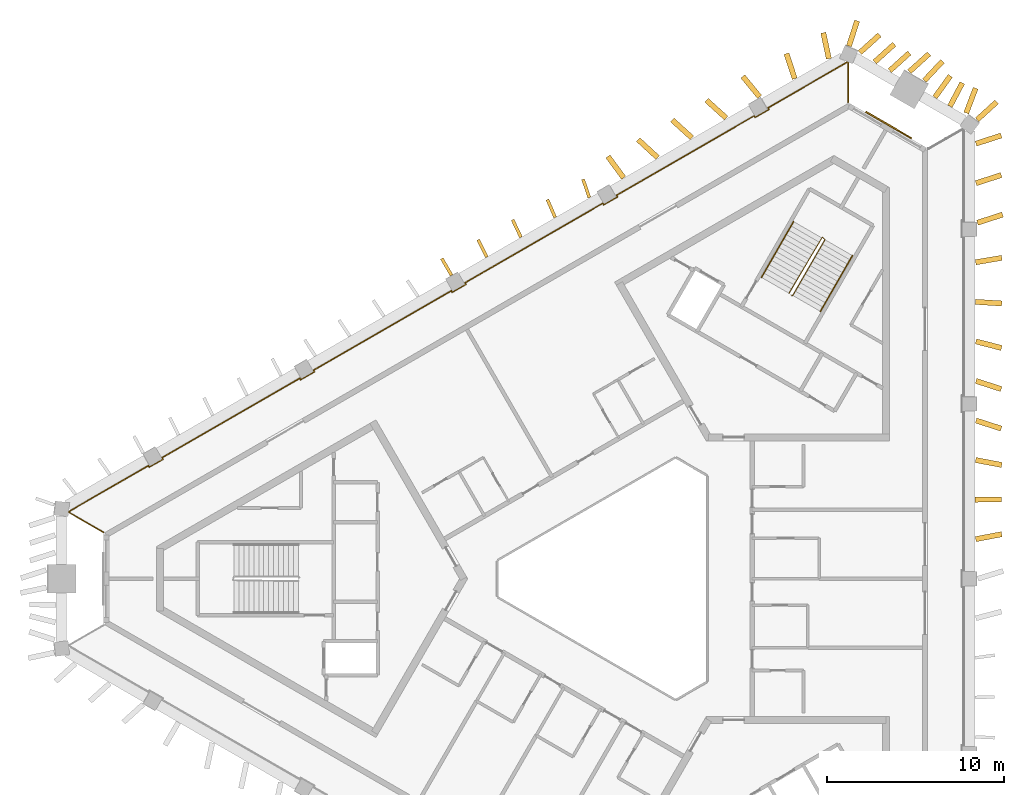
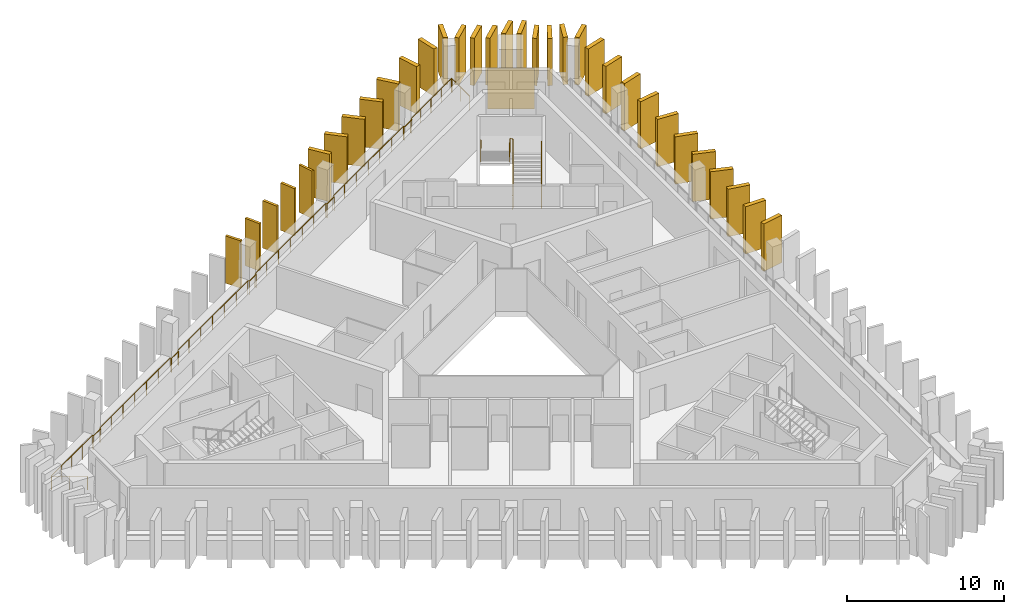
# One storey, part 9 of 9: 33 shading devices, 4 railings, 1 covering.
"""IFC4 building model written with IfcOpenShell, lengths in metres."""

from ifc_helpers import new_model, si_unit, direction, frame, frame_2d, origin, origin_2d, place, context, subcontext, project, spatial, rectangle, circle, extrude, material, layer, layer_set, type_object, element, save


model = new_model("IFC4")

# Units and contexts
model_context = context("Model", 3, precision=1e-05, world=origin(), true_north=direction((0.0, 1.0)))
body_context = subcontext(model_context, "Body", "Model", "MODEL_VIEW")
ifc_project = project(units=[si_unit("LENGTHUNIT", "METRE"), si_unit("AREAUNIT", "SQUARE_METRE"), si_unit("VOLUMEUNIT", "CUBIC_METRE"), si_unit("PLANEANGLEUNIT", "RADIAN"), si_unit("MASSUNIT", "GRAM", prefix="KILO")], contexts=[model_context])

# Site, building, storey
site_placement = place(None, origin())
site = spatial("IfcSite", under=ifc_project, at=site_placement, CompositionType="ELEMENT")
building_placement = place(site_placement, origin())
building = spatial("IfcBuilding", under=site, at=building_placement, Name="Jabali Bay Hotel Tower and Convention Centre", CompositionType="ELEMENT")
storey_placement = place(building_placement, frame((0.0, 0.0, 259.0)))
storey = spatial("IfcBuildingStorey", under=building, at=storey_placement, Name="L63", CompositionType="ELEMENT", Elevation=259.0)

# Railing
ifc_material_1 = material(Name="Glass", Category="glass")
railing_type_1 = type_object("IfcRailingType", Name="Loggia glass guard 1100", PredefinedType="BALUSTRADE", material=ifc_material_1)
railing_1_placement = place(storey_placement, frame((45.39599609375, 82.626708984375, 0.0)))
element("IfcRailing", 1, at=railing_1_placement, inside=storey, type_object=railing_type_1, Name="Loggia glass guard L63", PredefinedType="BALUSTRADE", context=body_context, shape_type="SweptSolid", body=[
    extrude(circle(Radius=0.02490234375, at=origin_2d()), frame((0.0, 0.0, 1.0751953125), z_axis=(-0.866008641419, 0.500029032144, 0.0), x_axis=(-0.495751214457, -0.85859981744, 0.13052619222)), (0.0, 0.0, 1.0), 2.274658203125),
    extrude(circle(Radius=0.02490234375, at=origin_2d()), frame((-1.969970703125, 1.137451171875, 1.0751953125), z_axis=(0.117599343536, 0.993061123194, 0.0), x_axis=(-0.984565347621, 0.11659326485, 0.13052619222)), (0.0, 0.0, 1.0), 0.037353515625),
    extrude(circle(Radius=0.02490234375, at=origin_2d()), frame((-1.965576171875, 1.174560546875, 1.0751953125), z_axis=(0.866027466843, 0.499996426661, 0.0), x_axis=(-0.495718887919, 0.85861848181, 0.13052619222)), (0.0, 0.0, 1.0), 5.19384765625),
    extrude(circle(Radius=0.02490234375, at=origin_2d()), frame((2.532470703125, 3.771484375, 1.0751953125), z_axis=(0.4982416694, -0.867038199201, 0.0), x_axis=(0.859620567213, 0.493979142849, 0.13052619222)), (0.0, 0.0, 1.0), 0.099853515625),
    extrude(circle(Radius=0.02490234375, at=origin_2d()), frame((2.582275390625, 3.684814453125, 1.0751953125), z_axis=(0.866081705922, 0.499902469156, 0.0), x_axis=(-0.495625734232, 0.858672256866, 0.13052619222)), (0.0, 0.0, 1.0), 0.900146484375),
    extrude(circle(Radius=0.02490234375, at=origin_2d()), frame((3.36181640625, 4.134765625, 1.0751953125), z_axis=(-0.500074377092, 0.865982457891, 0.0), x_axis=(-0.858573857916, -0.495796171473, 0.13052619222)), (0.0, 0.0, 1.0), 0.10009765625),
    extrude(circle(Radius=0.02490234375, at=origin_2d()), frame((3.311767578125, 4.221435546875, 1.0751953125), z_axis=(0.866035576965, 0.49998237912, 0.0), x_axis=(-0.495704960556, 0.858626522549, 0.13052619222)), (0.0, 0.0, 1.0), 8.997802734375),
    extrude(circle(Radius=0.02490234375, at=origin_2d()), frame((11.104248046875, 8.72021484375, 1.0751953125), z_axis=(0.499298623879, -0.866429964967, 0.0), x_axis=(0.859017536507, 0.495027054936, 0.13052619222)), (0.0, 0.0, 1.0), 0.099853515625),
    extrude(circle(Radius=0.02490234375, at=origin_2d()), frame((11.154052734375, 8.6337890625, 1.0751953125), z_axis=(0.866081705922, 0.499902469156, 0.0), x_axis=(-0.495625734232, 0.858672256866, 0.13052619222)), (0.0, 0.0, 1.0), 0.900146484375),
    extrude(circle(Radius=0.02490234375, at=origin_2d()), frame((11.93359375, 9.083740234375, 1.0751953125), z_axis=(-0.500074377092, 0.865982457891, 0.0), x_axis=(-0.858573857916, -0.495796171473, 0.13052619222)), (0.0, 0.0, 1.0), 0.10009765625),
    extrude(circle(Radius=0.02490234375, at=origin_2d()), frame((11.883544921875, 9.17041015625, 1.0751953125), z_axis=(0.866035576965, 0.49998237912, 0.0), x_axis=(-0.495704960556, 0.858626522549, 0.13052619222)), (0.0, 0.0, 1.0), 8.997802734375),
    extrude(circle(Radius=0.02490234375, at=origin_2d()), frame((19.676025390625, 13.669189453125, 1.0751953125), z_axis=(0.4982416694, -0.867038199201, 0.0), x_axis=(0.859620567213, 0.493979142849, 0.13052619222)), (0.0, 0.0, 1.0), 0.099853515625),
    extrude(circle(Radius=0.02490234375, at=origin_2d()), frame((19.725830078125, 13.58251953125, 1.0751953125), z_axis=(0.865964261186, 0.500105887137, 0.0), x_axis=(-0.495827411944, 0.858555816886, 0.13052619222)), (0.0, 0.0, 1.0), 0.900146484375),
    extrude(circle(Radius=0.02490234375, at=origin_2d()), frame((20.50537109375, 14.03271484375, 1.0751953125), z_axis=(-0.501132629342, 0.865370491644, 0.0), x_axis=(-0.857967127125, -0.496845370228, 0.13052619222)), (0.0, 0.0, 1.0), 0.099853515625),
    extrude(circle(Radius=0.02490234375, at=origin_2d()), frame((20.455322265625, 14.119140625, 1.0751953125), z_axis=(0.866023828167, 0.500002729039, 0.0), x_axis=(-0.495725136379, 0.858614874264, 0.13052619222)), (0.0, 0.0, 1.0), 8.998046875),
    extrude(circle(Radius=0.02490234375, at=origin_2d()), frame((28.247802734375, 18.6181640625, 1.0751953125), z_axis=(0.4982416694, -0.867038199201, 0.0), x_axis=(0.859620567213, 0.493979142849, 0.13052619222)), (0.0, 0.0, 1.0), 0.099853515625),
    extrude(circle(Radius=0.02490234375, at=origin_2d()), frame((28.297607421875, 18.531494140625, 1.0751953125), z_axis=(0.866081705922, 0.499902469156, 0.0), x_axis=(-0.495625734232, 0.858672256866, 0.13052619222)), (0.0, 0.0, 1.0), 0.900146484375),
    extrude(circle(Radius=0.02490234375, at=origin_2d()), frame((29.0771484375, 18.9814453125, 1.0751953125), z_axis=(-0.500074377092, 0.865982457891, 0.0), x_axis=(-0.858573857916, -0.495796171473, 0.13052619222)), (0.0, 0.0, 1.0), 0.10009765625),
    extrude(circle(Radius=0.02490234375, at=origin_2d()), frame((29.027099609375, 19.068115234375, 1.0751953125), z_axis=(0.866023828167, 0.500002729039, 0.0), x_axis=(-0.495725136379, 0.858614874264, 0.13052619222)), (0.0, 0.0, 1.0), 8.998046875),
    extrude(circle(Radius=0.02490234375, at=origin_2d()), frame((36.819580078125, 23.567138671875, 1.0751953125), z_axis=(0.4982416694, -0.867038199201, 0.0), x_axis=(0.859620567213, 0.493979142849, 0.13052619222)), (0.0, 0.0, 1.0), 0.099853515625),
    extrude(circle(Radius=0.02490234375, at=origin_2d()), frame((36.869384765625, 23.48046875, 1.0751953125), z_axis=(0.866081705922, 0.499902469156, 0.0), x_axis=(-0.495625734232, 0.858672256866, 0.13052619222)), (0.0, 0.0, 1.0), 0.900146484375),
    extrude(circle(Radius=0.02490234375, at=origin_2d()), frame((37.64892578125, 23.930419921875, 1.0751953125), z_axis=(-0.500074377092, 0.865982457891, 0.0), x_axis=(-0.858573857916, -0.495796171473, 0.13052619222)), (0.0, 0.0, 1.0), 0.10009765625),
    extrude(circle(Radius=0.02490234375, at=origin_2d()), frame((37.598876953125, 24.01708984375, 1.0751953125), z_axis=(0.866036069923, 0.499981525251, 0.0), x_axis=(-0.495704113992, 0.858627011289, 0.13052619222)), (0.0, 0.0, 1.0), 5.193603515625),
    extrude(circle(Radius=0.02490234375, at=origin_2d()), frame((42.0966796875, 26.61376953125, 1.0751953125), z_axis=(0.922495174035, -0.386008618922, 0.0), x_axis=(0.382706261677, 0.914603099939, 0.13052619222)), (0.0, 0.0, 1.0), 0.037353515625),
    extrude(circle(Radius=0.02490234375, at=origin_2d()), frame((42.131103515625, 26.599365234375, 1.0751953125), z_axis=(0.0, -1.0, 0.0), x_axis=(0.991444861374, 0.0, 0.13052619222)), (0.0, 0.0, 1.0), 2.27490234375),
    extrude(circle(Radius=0.02001953125, at=origin_2d()), origin(), (0.0, 0.0, 1.0), 1.050048828125),
    extrude(circle(Radius=0.02001953125, at=origin_2d()), frame((-0.98486328125, 0.56884765625, 0.0)), (0.0, 0.0, 1.0), 1.050048828125),
    extrude(circle(Radius=0.02001953125, at=origin_2d()), frame((-1.969970703125, 1.137451171875, 0.0)), (0.0, 0.0, 1.0), 1.050048828125),
    extrude(circle(Radius=0.02001953125, at=origin_2d()), frame((-1.965576171875, 1.174560546875, 0.0)), (0.0, 0.0, 1.0), 1.050048828125),
    extrude(circle(Radius=0.02001953125, at=origin_2d()), frame((-0.841064453125, 1.82373046875, 0.0)), (0.0, 0.0, 1.0), 1.050048828125),
    extrude(circle(Radius=0.02001953125, at=origin_2d()), frame((0.283447265625, 2.47314453125, 0.0)), (0.0, 0.0, 1.0), 1.050048828125),
    extrude(circle(Radius=0.02001953125, at=origin_2d()), frame((1.407958984375, 3.122314453125, 0.0)), (0.0, 0.0, 1.0), 1.050048828125),
    extrude(circle(Radius=0.02001953125, at=origin_2d()), frame((2.532470703125, 3.771484375, 0.0)), (0.0, 0.0, 1.0), 1.050048828125),
    extrude(circle(Radius=0.02001953125, at=origin_2d()), frame((2.582275390625, 3.684814453125, 0.0)), (0.0, 0.0, 1.0), 1.050048828125),
    extrude(circle(Radius=0.02001953125, at=origin_2d()), frame((3.36181640625, 4.134765625, 0.0)), (0.0, 0.0, 1.0), 1.050048828125),
    extrude(circle(Radius=0.02001953125, at=origin_2d()), frame((3.311767578125, 4.221435546875, 0.0)), (0.0, 0.0, 1.0), 1.050048828125),
    extrude(circle(Radius=0.02001953125, at=origin_2d()), frame((4.610595703125, 4.97119140625, 0.0)), (0.0, 0.0, 1.0), 1.050048828125),
    extrude(circle(Radius=0.02001953125, at=origin_2d()), frame((5.9091796875, 5.720947265625, 0.0)), (0.0, 0.0, 1.0), 1.050048828125),
    extrude(circle(Radius=0.02001953125, at=origin_2d()), frame((7.2080078125, 6.470703125, 0.0)), (0.0, 0.0, 1.0), 1.050048828125),
    extrude(circle(Radius=0.02001953125, at=origin_2d()), frame((8.5068359375, 7.220703125, 0.0)), (0.0, 0.0, 1.0), 1.050048828125),
    extrude(circle(Radius=0.02001953125, at=origin_2d()), frame((9.805419921875, 7.970458984375, 0.0)), (0.0, 0.0, 1.0), 1.050048828125),
    extrude(circle(Radius=0.02001953125, at=origin_2d()), frame((11.104248046875, 8.72021484375, 0.0)), (0.0, 0.0, 1.0), 1.050048828125),
    extrude(circle(Radius=0.02001953125, at=origin_2d()), frame((11.154052734375, 8.6337890625, 0.0)), (0.0, 0.0, 1.0), 1.050048828125),
    extrude(circle(Radius=0.02001953125, at=origin_2d()), frame((11.93359375, 9.083740234375, 0.0)), (0.0, 0.0, 1.0), 1.050048828125),
    extrude(circle(Radius=0.02001953125, at=origin_2d()), frame((11.883544921875, 9.17041015625, 0.0)), (0.0, 0.0, 1.0), 1.050048828125),
    extrude(circle(Radius=0.02001953125, at=origin_2d()), frame((13.182373046875, 9.920166015625, 0.0)), (0.0, 0.0, 1.0), 1.050048828125),
    extrude(circle(Radius=0.02001953125, at=origin_2d()), frame((14.48095703125, 10.669921875, 0.0)), (0.0, 0.0, 1.0), 1.050048828125),
    extrude(circle(Radius=0.02001953125, at=origin_2d()), frame((15.77978515625, 11.419921875, 0.0)), (0.0, 0.0, 1.0), 1.050048828125),
    extrude(circle(Radius=0.02001953125, at=origin_2d()), frame((17.07861328125, 12.169677734375, 0.0)), (0.0, 0.0, 1.0), 1.050048828125),
    extrude(circle(Radius=0.02001953125, at=origin_2d()), frame((18.377197265625, 12.91943359375, 0.0)), (0.0, 0.0, 1.0), 1.050048828125),
    extrude(circle(Radius=0.02001953125, at=origin_2d()), frame((19.676025390625, 13.669189453125, 0.0)), (0.0, 0.0, 1.0), 1.050048828125),
    extrude(circle(Radius=0.02001953125, at=origin_2d()), frame((19.725830078125, 13.58251953125, 0.0)), (0.0, 0.0, 1.0), 1.050048828125),
    extrude(circle(Radius=0.02001953125, at=origin_2d()), frame((20.50537109375, 14.03271484375, 0.0)), (0.0, 0.0, 1.0), 1.050048828125),
    extrude(circle(Radius=0.02001953125, at=origin_2d()), frame((20.455322265625, 14.119140625, 0.0)), (0.0, 0.0, 1.0), 1.050048828125),
    extrude(circle(Radius=0.02001953125, at=origin_2d()), frame((21.754150390625, 14.868896484375, 0.0)), (0.0, 0.0, 1.0), 1.050048828125),
    extrude(circle(Radius=0.02001953125, at=origin_2d()), frame((23.052734375, 15.618896484375, 0.0)), (0.0, 0.0, 1.0), 1.050048828125),
    extrude(circle(Radius=0.02001953125, at=origin_2d()), frame((24.3515625, 16.36865234375, 0.0)), (0.0, 0.0, 1.0), 1.050048828125),
    extrude(circle(Radius=0.02001953125, at=origin_2d()), frame((25.650390625, 17.118408203125, 0.0)), (0.0, 0.0, 1.0), 1.050048828125),
    extrude(circle(Radius=0.02001953125, at=origin_2d()), frame((26.948974609375, 17.868408203125, 0.0)), (0.0, 0.0, 1.0), 1.050048828125),
    extrude(circle(Radius=0.02001953125, at=origin_2d()), frame((28.247802734375, 18.6181640625, 0.0)), (0.0, 0.0, 1.0), 1.050048828125),
    extrude(circle(Radius=0.02001953125, at=origin_2d()), frame((28.297607421875, 18.531494140625, 0.0)), (0.0, 0.0, 1.0), 1.050048828125),
    extrude(circle(Radius=0.02001953125, at=origin_2d()), frame((29.0771484375, 18.9814453125, 0.0)), (0.0, 0.0, 1.0), 1.050048828125),
    extrude(circle(Radius=0.02001953125, at=origin_2d()), frame((29.027099609375, 19.068115234375, 0.0)), (0.0, 0.0, 1.0), 1.050048828125),
    extrude(circle(Radius=0.02001953125, at=origin_2d()), frame((30.325927734375, 19.81787109375, 0.0)), (0.0, 0.0, 1.0), 1.050048828125),
    extrude(circle(Radius=0.02001953125, at=origin_2d()), frame((31.62451171875, 20.56787109375, 0.0)), (0.0, 0.0, 1.0), 1.050048828125),
    extrude(circle(Radius=0.02001953125, at=origin_2d()), frame((32.92333984375, 21.317626953125, 0.0)), (0.0, 0.0, 1.0), 1.050048828125),
    extrude(circle(Radius=0.02001953125, at=origin_2d()), frame((34.22216796875, 22.0673828125, 0.0)), (0.0, 0.0, 1.0), 1.050048828125),
    extrude(circle(Radius=0.02001953125, at=origin_2d()), frame((35.520751953125, 22.8173828125, 0.0)), (0.0, 0.0, 1.0), 1.050048828125),
    extrude(circle(Radius=0.02001953125, at=origin_2d()), frame((36.819580078125, 23.567138671875, 0.0)), (0.0, 0.0, 1.0), 1.050048828125),
    extrude(circle(Radius=0.02001953125, at=origin_2d()), frame((36.869384765625, 23.48046875, 0.0)), (0.0, 0.0, 1.0), 1.050048828125),
    extrude(circle(Radius=0.02001953125, at=origin_2d()), frame((37.64892578125, 23.930419921875, 0.0)), (0.0, 0.0, 1.0), 1.050048828125),
    extrude(circle(Radius=0.02001953125, at=origin_2d()), frame((37.598876953125, 24.01708984375, 0.0)), (0.0, 0.0, 1.0), 1.050048828125),
    extrude(circle(Radius=0.02001953125, at=origin_2d()), frame((38.723388671875, 24.666259765625, 0.0)), (0.0, 0.0, 1.0), 1.050048828125),
    extrude(circle(Radius=0.02001953125, at=origin_2d()), frame((39.84765625, 25.3154296875, 0.0)), (0.0, 0.0, 1.0), 1.050048828125),
    extrude(circle(Radius=0.02001953125, at=origin_2d()), frame((40.97216796875, 25.964599609375, 0.0)), (0.0, 0.0, 1.0), 1.050048828125),
    extrude(circle(Radius=0.02001953125, at=origin_2d()), frame((42.0966796875, 26.61376953125, 0.0)), (0.0, 0.0, 1.0), 1.050048828125),
    extrude(circle(Radius=0.02001953125, at=origin_2d()), frame((42.131103515625, 26.599365234375, 0.0)), (0.0, 0.0, 1.0), 1.050048828125),
    extrude(circle(Radius=0.02001953125, at=origin_2d()), frame((42.131103515625, 25.4619140625, 0.0)), (0.0, 0.0, 1.0), 1.050048828125),
    extrude(circle(Radius=0.02001953125, at=origin_2d()), frame((42.131103515625, 24.324462890625, 0.0)), (0.0, 0.0, 1.0), 1.050048828125),
])

# Shading devices
ifc_material_2 = material(Name="Precast concrete C60", Category="concrete")
ifc_layer_1 = layer(ifc_material_2, 0.179931640625)
ifc_layer_set_1 = layer_set([ifc_layer_1], Name="Precast concrete C60")
shading_device_type_1 = type_object("IfcShadingDeviceType", Name="Precast fin 3680 x 1100", PredefinedType="USERDEFINED", material=ifc_layer_set_1)
for number, where, z_axis, x_axis, name in (
    (2, (72.88525390625, 101.568359375, 0.010009765625), (0.0, 0.0, 1.0), (-0.327590767152, 0.944819712578, 0.0), "Fin L63 038"),
    (3, (70.9501953125, 100.443359375, 0.010009765625), (0.0, 0.0, 1.0), (-0.397719547411, 0.917507036271, 0.0), "Fin L63 039"),
    (4, (69.013427734375, 99.321533203125, 0.010009765625), (0.0, 0.0, 1.0), (-0.430088633676, 0.902786667592, 0.0), "Fin L63 040"),
):
    element("IfcShadingDevice", number, at=place(storey_placement, frame(where, z_axis=z_axis, x_axis=x_axis)), inside=storey, type_object=shading_device_type_1, Name=name, ObjectType="FIN", PredefinedType="USERDEFINED", context=body_context, shape_type="SweptSolid", body=[
        extrude(rectangle(XDim=1.10009765625, YDim=0.179931640625, at=frame_2d((0.550048828125, 0.0))), origin(), (0.0, 0.0, 1.0), 3.679931640625),
    ])
shading_device_1_placement = place(storey_placement, frame((67.07568359375, 98.20166015625, 0.010009765625), z_axis=(0.0, 0.0, 1.0), x_axis=(-0.440185291087, 0.897906960387, 0.0)))
element("IfcShadingDevice", 5, at=shading_device_1_placement, inside=storey, type_object=shading_device_type_1, Name="Fin L63 041", ObjectType="FIN", PredefinedType="USERDEFINED", context=body_context, shape_type="SweptSolid", body=[
    extrude(rectangle(XDim=1.099853515625, YDim=0.179931640625, at=frame_2d((0.5498046875, 0.0))), origin(), (0.0, 0.0, 1.0), 3.679931640625),
])
shading_device_2_placement = place(storey_placement, frame((65.08642578125, 97.170654296875, 0.010009765625), z_axis=(0.0, 0.0, 1.0), x_axis=(-0.502697605628, 0.864462328442, 0.0)))
element("IfcShadingDevice", 6, at=shading_device_2_placement, inside=storey, type_object=shading_device_type_1, Name="Fin L63 042", ObjectType="FIN", PredefinedType="USERDEFINED", context=body_context, shape_type="SweptSolid", body=[
    extrude(rectangle(XDim=1.10009765625, YDim=0.179931640625, at=frame_2d((0.550048828125, 0.0))), origin(), (0.0, 0.0, 1.0), 3.679931640625),
])
ifc_layer_2 = layer(ifc_material_2, 0.300048828125)
ifc_layer_set_2 = layer_set([ifc_layer_2], Name="Precast concrete C60")
shading_device_type_2 = type_object("IfcShadingDeviceType", Name="Precast fin 3680 x 1500", PredefinedType="USERDEFINED", material=ifc_layer_set_2)
for number, where, z_axis, x_axis, name in (
    (7, (94.7470703125, 82.23828125, 0.010009765625), (0.0, 0.0, 1.0), (0.98238981341, 0.18684286047, 0.0), "Fin L63 012"),
    (8, (94.719482421875, 84.476318359375, 0.010009765625), (0.0, 0.0, 1.0), (0.999997403897, 0.002278639918, 0.0), "Fin L63 013"),
    (9, (94.746826171875, 86.714599609375, 0.010009765625), (0.0, 0.0, 1.0), (0.982728170351, -0.18505497345, 0.0), "Fin L63 014"),
    (10, (94.76513671875, 88.95263671875, 0.010009765625), (0.0, 0.0, 1.0), (0.951825135568, -0.306641339844, 0.0), "Fin L63 015"),
    (11, (94.76513671875, 91.19091796875, 0.010009765625), (0.0, 0.0, 1.0), (0.951777621698, -0.30678878538, 0.0), "Fin L63 016"),
    (12, (94.756591796875, 93.428955078125, 0.010009765625), (0.0, 0.0, 1.0), (0.968414371457, -0.24934635581, 0.0), "Fin L63 017"),
):
    element("IfcShadingDevice", number, at=place(storey_placement, frame(where, z_axis=z_axis, x_axis=x_axis)), inside=storey, type_object=shading_device_type_2, Name=name, ObjectType="FIN", PredefinedType="USERDEFINED", context=body_context, shape_type="SweptSolid", body=[
        extrude(rectangle(XDim=1.5, YDim=0.300048828125, at=frame_2d((0.75, 0.0))), origin(), (0.0, 0.0, 1.0), 3.679931640625),
    ])
shading_device_3_placement = place(storey_placement, frame((94.728271484375, 95.667236328125, 0.010009765625), z_axis=(0.0, 0.0, 1.0), x_axis=(0.998106032596, -0.061517052066, 0.0)))
element("IfcShadingDevice", 13, at=shading_device_3_placement, inside=storey, type_object=shading_device_type_2, Name="Fin L63 018", ObjectType="FIN", PredefinedType="USERDEFINED", context=body_context, shape_type="SweptSolid", body=[
    extrude(rectangle(XDim=1.500244140625, YDim=0.300048828125, at=frame_2d((0.75, 0.0))), origin(), (0.0, 0.0, 1.0), 3.679931640625),
])
for number, where, z_axis, x_axis, name in (
    (14, (94.744384765625, 97.9052734375, 0.010009765625), (0.0, 0.0, 1.0), (0.985820596942, 0.167802713463, 0.0), "Fin L63 019"),
    (15, (94.84326171875, 100.1435546875, 0.010009765625), (0.0, 0.0, 1.0), (0.951777621698, 0.30678878538, 0.0), "Fin L63 020"),
    (16, (94.76513671875, 102.381591796875, 0.010009765625), (0.0, 0.0, 1.0), (0.951777621698, 0.30678878538, 0.0), "Fin L63 021"),
    (17, (94.76513671875, 104.619873046875, 0.010009765625), (0.0, 0.0, 1.0), (0.951777621698, 0.30678878538, 0.0), "Fin L63 022"),
    (18, (94.209716796875, 106.351806640625, 0.010009765625), (0.0, 0.0, 1.0), (0.355650104253, 0.934619175571, 0.0), "Fin L63 023"),
    (19, (93.288330078125, 106.7333984375, 0.010009765625), (0.0, 0.0, 1.0), (0.469726338517, 0.882812079042, 0.0), "Fin L63 024"),
    (20, (92.43701171875, 107.23583984375, 0.010009765625), (0.0, 0.0, 1.0), (0.582991967158, 0.812477917379, 0.0), "Fin L63 025"),
    (21, (91.846923828125, 108.19091796875, 0.010009765625), (0.0, 0.0, 1.0), (0.684038569811, 0.72944584104, 0.0), "Fin L63 026"),
    (22, (90.99658203125, 108.695556640625, 0.010009765625), (0.0, 0.0, 1.0), (0.741543490988, 0.670904800231, 0.0), "Fin L63 027"),
    (23, (89.884033203125, 108.745849609375, 0.010009765625), (0.0, 0.0, 1.0), (0.741543490988, 0.670904800231, 0.0), "Fin L63 028"),
    (24, (89.02783203125, 109.240234375, 0.010009765625), (0.0, 0.0, 1.0), (0.741543490988, 0.670904800231, 0.0), "Fin L63 029"),
    (25, (88.1904296875, 109.76708984375, 0.010009765625), (0.0, 0.0, 1.0), (0.741543490988, 0.670904800231, 0.0), "Fin L63 030"),
    (26, (86.43896484375, 109.427001953125, 0.010009765625), (0.0, 0.0, 1.0), (-0.210273710971, 0.977642555577, 0.0), "Fin L63 031"),
):
    element("IfcShadingDevice", number, at=place(storey_placement, frame(where, z_axis=z_axis, x_axis=x_axis)), inside=storey, type_object=shading_device_type_2, Name=name, ObjectType="FIN", PredefinedType="USERDEFINED", context=body_context, shape_type="SweptSolid", body=[
        extrude(rectangle(XDim=1.5, YDim=0.300048828125, at=frame_2d((0.75, 0.0))), origin(), (0.0, 0.0, 1.0), 3.679931640625),
    ])
for number, where, z_axis, x_axis, name in (
    (27, (84.50830078125, 108.29443359375, 0.010009765625), (0.0, 0.0, 1.0), (-0.314664595062, 0.949202924887, 0.0), "Fin L63 032"),
    (28, (82.519287109375, 107.26318359375, 0.010009765625), (0.0, 0.0, 1.0), (-0.63354799242, 0.773703393621, 0.0), "Fin L63 033"),
):
    element("IfcShadingDevice", number, at=place(storey_placement, frame(where, z_axis=z_axis, x_axis=x_axis)), inside=storey, type_object=shading_device_type_2, Name=name, ObjectType="FIN", PredefinedType="USERDEFINED", context=body_context, shape_type="SweptSolid", body=[
        extrude(rectangle(XDim=1.499755859375, YDim=0.300048828125, at=frame_2d((0.75, 0.0))), origin(), (0.0, 0.0, 1.0), 3.679931640625),
    ])
for number, where, z_axis, x_axis, name in (
    (29, (80.6240234375, 106.06982421875, 0.010009765625), (0.0, 0.0, 1.0), (-0.741308257296, 0.671164709789, 0.0), "Fin L63 034"),
    (30, (78.685791015625, 104.950439453125, 0.010009765625), (0.0, 0.0, 1.0), (-0.740146226372, 0.672445955886, 0.0), "Fin L63 035"),
    (31, (76.748046875, 103.830322265625, 0.010009765625), (0.0, 0.0, 1.0), (-0.734934454925, 0.678138147403, 0.0), "Fin L63 036"),
):
    element("IfcShadingDevice", number, at=place(storey_placement, frame(where, z_axis=z_axis, x_axis=x_axis)), inside=storey, type_object=shading_device_type_2, Name=name, ObjectType="FIN", PredefinedType="USERDEFINED", context=body_context, shape_type="SweptSolid", body=[
        extrude(rectangle(XDim=1.500244140625, YDim=0.300048828125, at=frame_2d((0.75, 0.0))), origin(), (0.0, 0.0, 1.0), 3.679931640625),
    ])
for number, where, z_axis, x_axis, name in (
    (32, (74.82373046875, 102.68701171875, 0.010009765625), (0.0, 0.0, 1.0), (-0.592421520265, 0.805628166294, 0.0), "Fin L63 037"),
    (33, (94.82861328125, 105.970947265625, 0.010009765625), (0.0, 0.0, 1.0), (0.738443208372, 0.674315673857, 0.0), "Fin L63 094"),
    (34, (87.5771484375, 110.14208984375, 0.010009765625), (0.0, 0.0, 1.0), (0.30678878538, 0.951777621698, 0.0), "Fin L63 095"),
):
    element("IfcShadingDevice", number, at=place(storey_placement, frame(where, z_axis=z_axis, x_axis=x_axis)), inside=storey, type_object=shading_device_type_2, Name=name, ObjectType="FIN", PredefinedType="USERDEFINED", context=body_context, shape_type="SweptSolid", body=[
        extrude(rectangle(XDim=1.5, YDim=0.300048828125, at=frame_2d((0.75, 0.0))), origin(), (0.0, 0.0, 1.0), 3.679931640625),
    ])

# Covering
ifc_material_3 = material(Name="Precast concrete C40/50", Category="concrete")
ifc_layer_3 = layer(ifc_material_3, 0.080078125)
ifc_layer_set_3 = layer_set([ifc_layer_3], Name="Precast concrete C40/50")
covering_type = type_object("IfcCoveringType", Name="Relief panel 3000 x 3100", PredefinedType="CLADDING", material=ifc_layer_set_3)
covering_placement = place(storey_placement, frame((89.822021484375, 105.67236328125, 0.099853515625), z_axis=(0.0, 0.0, 1.0), x_axis=(0.86602534145, -0.500000107966, 0.0)))
element("IfcCovering", 35, at=covering_placement, inside=storey, type_object=covering_type, Name="Relief panel L63", PredefinedType="CLADDING", context=body_context, shape_type="SweptSolid", body=[
    extrude(rectangle(XDim=3.0, YDim=0.080078125, at=origin_2d()), origin(), (0.0, 0.0, 1.0), 3.10009765625),
])

# Railings
ifc_material_4 = material(Name="Steel Q355B", Category="steel")
railing_type_2 = type_object("IfcRailingType", Name="Stair guard 1100", PredefinedType="GUARDRAIL", material=ifc_material_4)
railing_2_placement = place(storey_placement, frame((84.329833984375, 96.010009765625, 0.0)))
element("IfcRailing", 36, at=railing_2_placement, inside=storey, type_object=railing_type_2, Name="L63 ST2 stair guard 1", PredefinedType="GUARDRAIL", context=body_context, shape_type="SweptSolid", body=[
    extrude(circle(Radius=0.02392578125, at=origin_2d()), frame((0.0, 0.0, 1.076171875), z_axis=(0.456201556387, 0.122196845461, 0.881446578591), x_axis=(-0.258736085224, 0.965948051503, 0.0)), (0.0, 0.0, 1.0), 0.14990234375),
    extrude(circle(Radius=0.02392578125, at=origin_2d()), frame((0.068359375, 0.018310546875, 1.2080078125), z_axis=(0.45217862506, 0.783169739339, 0.426825081763), x_axis=(-0.866018046521, 0.500012742938, 0.0)), (0.0, 0.0, 1.0), 4.025146484375),
    extrude(circle(Radius=0.02392578125, at=origin_2d()), frame((1.888427734375, 3.170654296875, 2.92626953125), z_axis=(-0.718850276695, 0.695164929852, 0.0), x_axis=(-0.695164929852, -0.718850276695, 0.0)), (0.0, 0.0, 1.0), 0.2060546875),
    extrude(circle(Radius=0.02392578125, at=origin_2d()), frame((1.740234375, 3.31396484375, 2.92626953125), z_axis=(-0.457457462341, -0.768067235091, 0.448113147015), x_axis=(0.859157857954, -0.511710636118, 0.0)), (0.0, 0.0, 1.0), 4.128173828125),
    extrude(circle(Radius=0.02099609375, at=origin_2d()), origin(), (0.0, 0.0, 1.0), 1.052001953125),
    extrude(circle(Radius=0.02099609375, at=origin_2d()), frame((0.068359375, 0.018310546875, 0.132080078125)), (0.0, 0.0, 1.0), 1.052001953125),
    extrude(circle(Radius=0.02099609375, at=origin_2d()), frame((0.5234375, 0.806396484375, 0.5615234375)), (0.0, 0.0, 1.0), 1.052001953125),
    extrude(circle(Radius=0.02099609375, at=origin_2d()), frame((0.978515625, 1.594482421875, 0.9912109375)), (0.0, 0.0, 1.0), 1.052001953125),
    extrude(circle(Radius=0.02099609375, at=origin_2d()), frame((1.433349609375, 2.382568359375, 1.420654296875)), (0.0, 0.0, 1.0), 1.052001953125),
    extrude(circle(Radius=0.02099609375, at=origin_2d()), frame((1.888427734375, 3.170654296875, 1.85009765625)), (0.0, 0.0, 1.0), 1.052001953125),
    extrude(circle(Radius=0.02099609375, at=origin_2d()), frame((1.740234375, 3.31396484375, 1.85009765625)), (0.0, 0.0, 1.0), 1.052001953125),
    extrude(circle(Radius=0.02099609375, at=origin_2d()), frame((1.26806640625, 2.521240234375, 2.3125)), (0.0, 0.0, 1.0), 1.052001953125),
    extrude(circle(Radius=0.02099609375, at=origin_2d()), frame((0.7958984375, 1.728515625, 2.77490234375)), (0.0, 0.0, 1.0), 1.052001953125),
    extrude(circle(Radius=0.02099609375, at=origin_2d()), frame((0.323974609375, 0.93603515625, 3.237548828125)), (0.0, 0.0, 1.0), 1.052001953125),
    extrude(circle(Radius=0.02099609375, at=origin_2d()), frame((-0.148193359375, 0.143310546875, 3.699951171875)), (0.0, 0.0, 1.0), 1.052001953125),
])
railing_type_3 = type_object("IfcRailingType", Name="Stair handrail 900", PredefinedType="HANDRAIL", material=ifc_material_4)
railing_3_placement = place(storey_placement, frame((85.95703125, 95.128173828125, 0.132080078125)))
element("IfcRailing", 37, at=railing_3_placement, inside=storey, type_object=railing_type_3, Name="L63 ST2 stair handrail 1", PredefinedType="HANDRAIL", context=body_context, shape_type="SweptSolid", body=[
    extrude(circle(Radius=0.02392578125, at=origin_2d()), frame((0.0, 0.0, 0.8759765625), z_axis=(0.45217862506, 0.783169739339, 0.426825081763), x_axis=(-0.866018046521, 0.500012742938, 0.0)), (0.0, 0.0, 1.0), 4.025146484375),
    extrude(circle(Radius=0.02099609375, at=origin_2d()), origin(), (0.0, 0.0, 1.0), 0.851806640625),
    extrude(circle(Radius=0.02099609375, at=origin_2d()), frame((0.455078125, 0.7880859375, 0.429443359375)), (0.0, 0.0, 1.0), 0.851806640625),
    extrude(circle(Radius=0.02099609375, at=origin_2d()), frame((0.91015625, 1.576171875, 0.85888671875)), (0.0, 0.0, 1.0), 0.851806640625),
    extrude(circle(Radius=0.02099609375, at=origin_2d()), frame((1.364990234375, 2.3642578125, 1.28857421875)), (0.0, 0.0, 1.0), 0.851806640625),
    extrude(circle(Radius=0.02099609375, at=origin_2d()), frame((1.820068359375, 3.15234375, 1.718017578125)), (0.0, 0.0, 1.0), 0.851806640625),
])
railing_4_placement = place(storey_placement, frame((84.44287109375, 100.20556640625, 1.982177734375)))
element("IfcRailing", 38, at=railing_4_placement, inside=storey, type_object=railing_type_3, Name="L63 ST2 stair handrail 2", PredefinedType="HANDRAIL", context=body_context, shape_type="SweptSolid", body=[
    extrude(circle(Radius=0.02392578125, at=origin_2d()), frame((0.0, 0.0, 0.8759765625), z_axis=(-0.452190331055, -0.783190014029, 0.426775475427), x_axis=(0.866018046521, -0.500012742938, 0.0)), (0.0, 0.0, 1.0), 4.02490234375),
    extrude(circle(Radius=0.02099609375, at=origin_2d()), origin(), (0.0, 0.0, 1.0), 0.851806640625),
    extrude(circle(Radius=0.02099609375, at=origin_2d()), frame((-0.455078125, -0.7880859375, 0.429443359375)), (0.0, 0.0, 1.0), 0.851806640625),
    extrude(circle(Radius=0.02099609375, at=origin_2d()), frame((-0.91015625, -1.576171875, 0.85888671875)), (0.0, 0.0, 1.0), 0.851806640625),
    extrude(circle(Radius=0.02099609375, at=origin_2d()), frame((-1.364990234375, -2.3642578125, 1.288330078125)), (0.0, 0.0, 1.0), 0.851806640625),
    extrude(circle(Radius=0.02099609375, at=origin_2d()), frame((-1.820068359375, -3.15234375, 1.7177734375)), (0.0, 0.0, 1.0), 0.851806640625),
])

save(model, "model.ifc")
